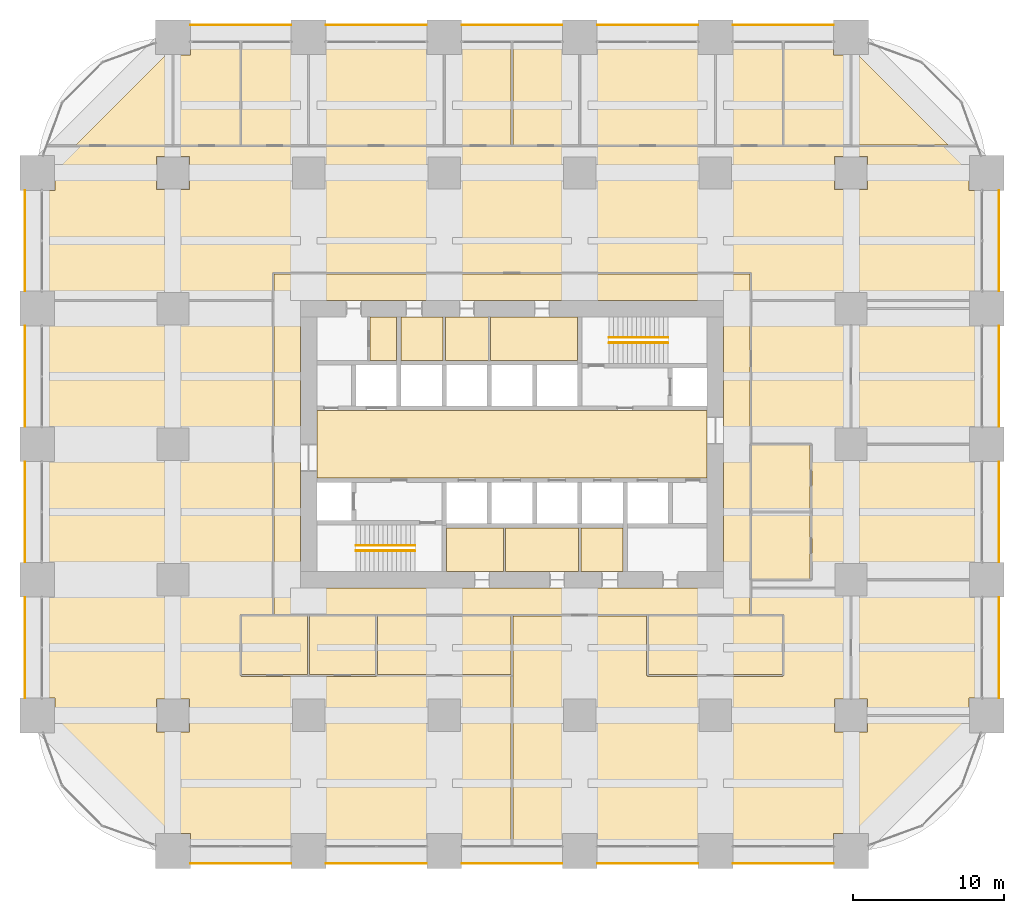
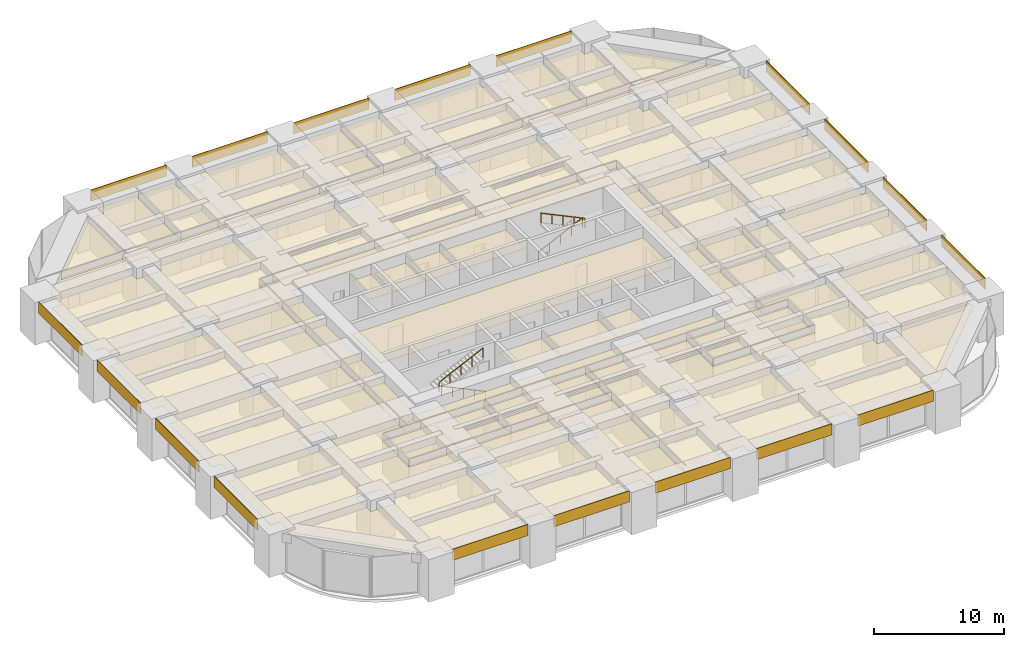
# One storey, part 43 of 43: 49 coverings, 4 railings.
"""IFC4 building model written with IfcOpenShell, lengths in metres."""

from ifc_helpers import new_model, si_unit, direction, frame, frame_2d, origin, origin_2d, place, context, subcontext, project, spatial, polyline, rectangle, circle, outline, extrude, material, layer, layer_set, type_object, element, save


model = new_model("IFC4")

# Units and contexts
model_context = context("Model", 3, precision=1e-05, world=origin(), true_north=direction((0.0, 1.0)))
body_context = subcontext(model_context, "Body", "Model", "MODEL_VIEW")
ifc_project = project(units=[si_unit("LENGTHUNIT", "METRE"), si_unit("AREAUNIT", "SQUARE_METRE"), si_unit("VOLUMEUNIT", "CUBIC_METRE"), si_unit("PLANEANGLEUNIT", "RADIAN"), si_unit("MASSUNIT", "GRAM", prefix="KILO")], contexts=[model_context])

# Site, building, storey
site_placement = place(None, origin())
site = spatial("IfcSite", under=ifc_project, at=site_placement, CompositionType="ELEMENT")
building_placement = place(site_placement, origin())
building = spatial("IfcBuilding", under=site, at=building_placement, Name="Zorevar Civic Tower", CompositionType="ELEMENT")
storey_placement = place(building_placement, frame((0.0, 0.0, 67.800048828125)))
storey = spatial("IfcBuildingStorey", under=building, at=storey_placement, Name="L16", CompositionType="ELEMENT", Elevation=67.800048828125)

# Railings
ifc_material_1 = material(Name="Black steel handrail", Category="steel")
railing_type = type_object("IfcRailingType", Name="Handrail HR1 900", PredefinedType="HANDRAIL", material=ifc_material_1)
railing_1_placement = place(storey_placement, frame((25.050048828125, 19.925048828125, 0.142822265625)))
element("IfcRailing", 1, at=railing_1_placement, inside=storey, type_object=railing_type, Name="Handrail HR1 ST1 L16", PredefinedType="HANDRAIL", context=body_context, shape_type="SweptSolid", body=[
    extrude(circle(Radius=0.02392578125, at=origin_2d()), frame((0.0, 0.0, 0.8759765625), z_axis=(-0.902863652845, 0.0, 0.429926998885), x_axis=(0.0, -1.0, 0.0)), (0.0, 0.0, 1.0), 4.31982421875),
    extrude(circle(Radius=0.02099609375, at=origin_2d()), origin(), (0.0, 0.0, 1.0), 0.851806640625),
    extrude(circle(Radius=0.02099609375, at=origin_2d()), frame((-0.97509765625, 0.0, 0.46435546875)), (0.0, 0.0, 1.0), 0.851806640625),
    extrude(circle(Radius=0.02099609375, at=origin_2d()), frame((-1.9501953125, 0.0, 0.9287109375)), (0.0, 0.0, 1.0), 0.851806640625),
    extrude(circle(Radius=0.02099609375, at=origin_2d()), frame((-2.925048828125, 0.0, 1.392822265625)), (0.0, 0.0, 1.0), 0.851806640625),
    extrude(circle(Radius=0.02099609375, at=origin_2d()), frame((-3.900146484375, 0.0, 1.857177734375)), (0.0, 0.0, 1.0), 0.851806640625),
])
for number, where, name in (
    (2, (21.14990234375, 20.27490234375, 2.142822265625), "Handrail HR1 ST1 L16"),
    (3, (37.949951171875, 34.074951171875, 0.142822265625), "Handrail HR1 ST2 L16"),
):
    element("IfcRailing", number, at=place(storey_placement, frame(where)), inside=storey, type_object=railing_type, Name=name, PredefinedType="HANDRAIL", context=body_context, shape_type="SweptSolid", body=[
        extrude(circle(Radius=0.02392578125, at=origin_2d()), frame((0.0, 0.0, 0.8759765625), z_axis=(0.902863652845, 0.0, 0.429926998885), x_axis=(0.0, 1.0, 0.0)), (0.0, 0.0, 1.0), 4.31982421875),
        extrude(circle(Radius=0.02099609375, at=origin_2d()), origin(), (0.0, 0.0, 1.0), 0.851806640625),
        extrude(circle(Radius=0.02099609375, at=origin_2d()), frame((0.97509765625, 0.0, 0.46435546875)), (0.0, 0.0, 1.0), 0.851806640625),
        extrude(circle(Radius=0.02099609375, at=origin_2d()), frame((1.9501953125, 0.0, 0.9287109375)), (0.0, 0.0, 1.0), 0.851806640625),
        extrude(circle(Radius=0.02099609375, at=origin_2d()), frame((2.925048828125, 0.0, 1.392822265625)), (0.0, 0.0, 1.0), 0.851806640625),
        extrude(circle(Radius=0.02099609375, at=origin_2d()), frame((3.900146484375, 0.0, 1.857177734375)), (0.0, 0.0, 1.0), 0.851806640625),
    ])
railing_2_placement = place(storey_placement, frame((41.85009765625, 33.72509765625, 2.142822265625)))
element("IfcRailing", 4, at=railing_2_placement, inside=storey, type_object=railing_type, Name="Handrail HR1 ST2 L16", PredefinedType="HANDRAIL", context=body_context, shape_type="SweptSolid", body=[
    extrude(circle(Radius=0.02392578125, at=origin_2d()), frame((0.0, 0.0, 0.8759765625), z_axis=(-0.902863652845, 0.0, 0.429926998885), x_axis=(0.0, -1.0, 0.0)), (0.0, 0.0, 1.0), 4.31982421875),
    extrude(circle(Radius=0.02099609375, at=origin_2d()), origin(), (0.0, 0.0, 1.0), 0.851806640625),
    extrude(circle(Radius=0.02099609375, at=origin_2d()), frame((-0.97509765625, 0.0, 0.46435546875)), (0.0, 0.0, 1.0), 0.851806640625),
    extrude(circle(Radius=0.02099609375, at=origin_2d()), frame((-1.9501953125, 0.0, 0.9287109375)), (0.0, 0.0, 1.0), 0.851806640625),
    extrude(circle(Radius=0.02099609375, at=origin_2d()), frame((-2.925048828125, 0.0, 1.392822265625)), (0.0, 0.0, 1.0), 0.851806640625),
    extrude(circle(Radius=0.02099609375, at=origin_2d()), frame((-3.900146484375, 0.0, 1.857177734375)), (0.0, 0.0, 1.0), 0.851806640625),
])

# Coverings
ifc_material_2 = material(Name="Moisture-resistant gypsum board")
ifc_layer_1 = layer(ifc_material_2, 0.012451171875)
ifc_layer_set_1 = layer_set([ifc_layer_1], Name="Moisture-resistant ceiling SC3")
covering_type_1 = type_object("IfcCoveringType", Name="Moisture-resistant ceiling SC3", PredefinedType="CEILING", material=ifc_layer_set_1)
covering_1_placement = place(storey_placement, frame((0.0, 0.0, 3.0)))
element("IfcCovering", 5, at=covering_1_placement, inside=storey, type_object=covering_type_1, Name="Ceiling L16-05", PredefinedType="CEILING", context=body_context, shape_type="SweptSolid", body=[
    extrude(outline(polyline([(30.925048828125, 18.550048828125), (30.925048828125, 21.449951171875), (27.14990234375, 21.449951171875), (27.14990234375, 18.550048828125), (30.925048828125, 18.550048828125)])), origin(), (0.0, 0.0, 1.0), 0.012451171875),
])
covering_2_placement = place(storey_placement, frame((0.0, 0.0, 3.0)))
element("IfcCovering", 6, at=covering_2_placement, inside=storey, type_object=covering_type_1, Name="Ceiling L16-06", PredefinedType="CEILING", context=body_context, shape_type="SweptSolid", body=[
    extrude(outline(polyline([(35.925048828125, 18.550048828125), (35.925048828125, 21.449951171875), (31.074951171875, 21.449951171875), (31.074951171875, 18.550048828125), (35.925048828125, 18.550048828125)])), origin(), (0.0, 0.0, 1.0), 0.012451171875),
])
covering_3_placement = place(storey_placement, frame((0.0, 0.0, 3.0)))
element("IfcCovering", 7, at=covering_3_placement, inside=storey, type_object=covering_type_1, Name="Ceiling L16-07", PredefinedType="CEILING", context=body_context, shape_type="SweptSolid", body=[
    extrude(outline(polyline([(38.85009765625, 18.550048828125), (38.85009765625, 21.449951171875), (36.074951171875, 21.449951171875), (36.074951171875, 18.550048828125), (38.85009765625, 18.550048828125)])), origin(), (0.0, 0.0, 1.0), 0.012451171875),
])
covering_4_placement = place(storey_placement, frame((0.0, 0.0, 3.0)))
element("IfcCovering", 8, at=covering_4_placement, inside=storey, type_object=covering_type_1, Name="Ceiling L16-10", PredefinedType="CEILING", context=body_context, shape_type="SweptSolid", body=[
    extrude(outline(polyline([(26.925048828125, 32.550048828125), (26.925048828125, 35.449951171875), (24.14990234375, 35.449951171875), (24.14990234375, 32.550048828125), (26.925048828125, 32.550048828125)])), origin(), (0.0, 0.0, 1.0), 0.012451171875),
])
ifc_material_3 = material(Name="Black anodised aluminium spandrel panel", Category="aluminium")
ifc_layer_2 = layer(ifc_material_3, 0.050048828125)
ifc_layer_set_2 = layer_set([ifc_layer_2], Name="Spandrel cladding SP1")
covering_type_2 = type_object("IfcCoveringType", Name="Spandrel cladding SP1", PredefinedType="CLADDING", material=ifc_layer_set_2)
for number, where, z_axis, x_axis, name in (
    (9, (10.14990234375, -0.824951171875, 2.949951171875), (0.0, 0.0, 1.0), (1.0, 0.0, 0.0), "Spandrel cladding L17"),
    (10, (19.14990234375, -0.824951171875, 2.949951171875), (0.0, 0.0, 1.0), (1.0, 0.0, 0.0), "Spandrel cladding L17"),
    (11, (28.14990234375, -0.824951171875, 2.949951171875), (0.0, 0.0, 1.0), (1.0, 0.0, 0.0), "Spandrel cladding L17"),
    (12, (37.14990234375, -0.824951171875, 2.949951171875), (0.0, 0.0, 1.0), (1.0, 0.0, 0.0), "Spandrel cladding L17"),
    (13, (46.14990234375, -0.824951171875, 2.949951171875), (0.0, 0.0, 1.0), (1.0, 0.0, 0.0), "Spandrel cladding L17"),
    (14, (10.14990234375, 54.824951171875, 2.949951171875), (0.0, 0.0, 1.0), (1.0, 0.0, 0.0), "Spandrel cladding L17"),
    (15, (19.14990234375, 54.824951171875, 2.949951171875), (0.0, 0.0, 1.0), (1.0, 0.0, 0.0), "Spandrel cladding L17"),
    (16, (28.14990234375, 54.824951171875, 2.949951171875), (0.0, 0.0, 1.0), (1.0, 0.0, 0.0), "Spandrel cladding L17"),
    (17, (37.14990234375, 54.824951171875, 2.949951171875), (0.0, 0.0, 1.0), (1.0, 0.0, 0.0), "Spandrel cladding L17"),
    (18, (46.14990234375, 54.824951171875, 2.949951171875), (0.0, 0.0, 1.0), (1.0, 0.0, 0.0), "Spandrel cladding L17"),
    (19, (-0.824951171875, 10.14990234375, 2.949951171875), (0.0, 0.0, 1.0), (0.0, 1.0, 0.0), "Spandrel cladding L17"),
    (20, (-0.824951171875, 19.14990234375, 2.949951171875), (0.0, 0.0, 1.0), (0.0, 1.0, 0.0), "Spandrel cladding L17"),
    (21, (-0.824951171875, 28.14990234375, 2.949951171875), (0.0, 0.0, 1.0), (0.0, 1.0, 0.0), "Spandrel cladding L17"),
    (22, (-0.824951171875, 37.14990234375, 2.949951171875), (0.0, 0.0, 1.0), (0.0, 1.0, 0.0), "Spandrel cladding L17"),
    (23, (63.824951171875, 10.14990234375, 2.949951171875), (0.0, 0.0, 1.0), (0.0, 1.0, 0.0), "Spandrel cladding L17"),
    (24, (63.824951171875, 19.14990234375, 2.949951171875), (0.0, 0.0, 1.0), (0.0, 1.0, 0.0), "Spandrel cladding L17"),
    (25, (63.824951171875, 28.14990234375, 2.949951171875), (0.0, 0.0, 1.0), (0.0, 1.0, 0.0), "Spandrel cladding L17"),
    (26, (63.824951171875, 37.14990234375, 2.949951171875), (0.0, 0.0, 1.0), (0.0, 1.0, 0.0), "Spandrel cladding L17"),
):
    element("IfcCovering", number, at=place(storey_placement, frame(where, z_axis=z_axis, x_axis=x_axis)), inside=storey, type_object=covering_type_2, Name=name, PredefinedType="CLADDING", context=body_context, shape_type="SweptSolid", body=[
        extrude(rectangle(XDim=6.7001953125, YDim=0.050048828125, at=frame_2d((3.35009765625, 0.0))), origin(), (0.0, 0.0, 1.0), 1.050048828125),
    ])
ifc_material_4 = material(Name="Mineral fibre tiles on a concealed grid")
ifc_layer_3 = layer(ifc_material_4, 0.02001953125)
ifc_layer_set_3 = layer_set([ifc_layer_3], Name="Suspended ceiling SC1")
covering_type_3 = type_object("IfcCoveringType", Name="Suspended ceiling SC1", PredefinedType="CEILING", material=ifc_layer_set_3)
covering_5_placement = place(storey_placement, frame((0.0, 0.0, 3.0)))
element("IfcCovering", 27, at=covering_5_placement, inside=storey, type_object=covering_type_3, Name="Ceiling L16-08", PredefinedType="CEILING", context=body_context, shape_type="SweptSolid", body=[
    extrude(outline(polyline([(35.85009765625, 32.550048828125), (35.85009765625, 35.449951171875), (30.06005859375, 35.449951171875), (30.06005859375, 32.550048828125), (35.85009765625, 32.550048828125)])), origin(), (0.0, 0.0, 1.0), 0.02001953125),
])
covering_6_placement = place(storey_placement, frame((0.0, 0.0, 3.0)))
element("IfcCovering", 28, at=covering_6_placement, inside=storey, type_object=covering_type_3, Name="Ceiling L16-09", PredefinedType="CEILING", context=body_context, shape_type="SweptSolid", body=[
    extrude(outline(polyline([(29.93994140625, 32.550048828125), (29.93994140625, 35.449951171875), (27.074951171875, 35.449951171875), (27.074951171875, 32.550048828125), (29.93994140625, 32.550048828125)])), origin(), (0.0, 0.0, 1.0), 0.02001953125),
])
covering_7_placement = place(storey_placement, frame((0.0, 0.0, 3.0)))
element("IfcCovering", 29, at=covering_7_placement, inside=storey, type_object=covering_type_3, Name="Ceiling L16-12", PredefinedType="CEILING", context=body_context, shape_type="SweptSolid", body=[
    extrude(outline(polyline([(23.85009765625, 32.550048828125), (23.85009765625, 35.449951171875), (22.06005859375, 35.449951171875), (22.06005859375, 32.550048828125), (23.85009765625, 32.550048828125)])), origin(), (0.0, 0.0, 1.0), 0.02001953125),
])
covering_8_placement = place(storey_placement, frame((0.0, 0.0, 3.0)))
element("IfcCovering", 30, at=covering_8_placement, inside=storey, type_object=covering_type_3, Name="Ceiling L16-16", PredefinedType="CEILING", context=body_context, shape_type="SweptSolid", body=[
    extrude(outline(polyline([(44.449951171875, 24.75), (44.449951171875, 29.25), (18.550048828125, 29.25), (18.550048828125, 24.75), (44.449951171875, 24.75)])), origin(), (0.0, 0.0, 1.0), 0.02001953125),
])
covering_9_placement = place(storey_placement, frame((0.0, 0.0, 3.0)))
element("IfcCovering", 31, at=covering_9_placement, inside=storey, type_object=covering_type_3, Name="Ceiling L16-17", PredefinedType="CEILING", context=body_context, shape_type="SweptSolid", body=[
    extrude(outline(polyline([(9.06005859375, 46.860107421875), (9.06005859375, 52.840087890625), (10.159912109375, 52.840087890625), (10.159912109375, 53.64990234375), (13.43994140625, 53.64990234375), (13.43994140625, 46.860107421875), (9.06005859375, 46.860107421875)])), origin(), (0.0, 0.0, 1.0), 0.02001953125),
])
covering_10_placement = place(storey_placement, frame((0.0, 0.0, 3.0)))
element("IfcCovering", 32, at=covering_10_placement, inside=storey, type_object=covering_type_3, Name="Ceiling L16-18", PredefinedType="CEILING", context=body_context, shape_type="SweptSolid", body=[
    extrude(outline(polyline([(13.56005859375, 46.860107421875), (13.56005859375, 53.64990234375), (16.840087890625, 53.64990234375), (16.840087890625, 52.840087890625), (17.93994140625, 52.840087890625), (17.93994140625, 46.860107421875), (13.56005859375, 46.860107421875)])), origin(), (0.0, 0.0, 1.0), 0.02001953125),
])
covering_11_placement = place(storey_placement, frame((0.0, 0.0, 3.0)))
element("IfcCovering", 33, at=covering_11_placement, inside=storey, type_object=covering_type_3, Name="Ceiling L16-19", PredefinedType="CEILING", context=body_context, shape_type="SweptSolid", body=[
    extrude(outline(polyline([(19.159912109375, 52.840087890625), (19.159912109375, 53.64990234375), (25.840087890625, 53.64990234375), (25.840087890625, 52.840087890625), (26.93994140625, 52.840087890625), (26.93994140625, 46.860107421875), (18.06005859375, 46.860107421875), (18.06005859375, 52.840087890625), (19.159912109375, 52.840087890625)])), origin(), (0.0, 0.0, 1.0), 0.02001953125),
])
covering_12_placement = place(storey_placement, frame((0.0, 0.0, 3.0)))
element("IfcCovering", 34, at=covering_12_placement, inside=storey, type_object=covering_type_3, Name="Ceiling L16-20", PredefinedType="CEILING", context=body_context, shape_type="SweptSolid", body=[
    extrude(outline(polyline([(27.06005859375, 46.860107421875), (27.06005859375, 52.840087890625), (28.159912109375, 52.840087890625), (28.159912109375, 53.64990234375), (31.43994140625, 53.64990234375), (31.43994140625, 46.860107421875), (27.06005859375, 46.860107421875)])), origin(), (0.0, 0.0, 1.0), 0.02001953125),
])
covering_13_placement = place(storey_placement, frame((0.0, 0.0, 3.0)))
element("IfcCovering", 35, at=covering_13_placement, inside=storey, type_object=covering_type_3, Name="Ceiling L16-21", PredefinedType="CEILING", context=body_context, shape_type="SweptSolid", body=[
    extrude(outline(polyline([(31.56005859375, 46.860107421875), (31.56005859375, 53.64990234375), (34.840087890625, 53.64990234375), (34.840087890625, 52.840087890625), (35.93994140625, 52.840087890625), (35.93994140625, 46.860107421875), (31.56005859375, 46.860107421875)])), origin(), (0.0, 0.0, 1.0), 0.02001953125),
])
covering_14_placement = place(storey_placement, frame((0.0, 0.0, 3.0)))
element("IfcCovering", 36, at=covering_14_placement, inside=storey, type_object=covering_type_3, Name="Ceiling L16-22", PredefinedType="CEILING", context=body_context, shape_type="SweptSolid", body=[
    extrude(outline(polyline([(37.159912109375, 52.840087890625), (37.159912109375, 53.64990234375), (43.840087890625, 53.64990234375), (43.840087890625, 52.840087890625), (44.93994140625, 52.840087890625), (44.93994140625, 46.860107421875), (36.06005859375, 46.860107421875), (36.06005859375, 52.840087890625), (37.159912109375, 52.840087890625)])), origin(), (0.0, 0.0, 1.0), 0.02001953125),
])
covering_15_placement = place(storey_placement, frame((0.0, 0.0, 3.0)))
element("IfcCovering", 37, at=covering_15_placement, inside=storey, type_object=covering_type_3, Name="Ceiling L16-23", PredefinedType="CEILING", context=body_context, shape_type="SweptSolid", body=[
    extrude(outline(polyline([(45.06005859375, 46.860107421875), (45.06005859375, 52.840087890625), (46.159912109375, 52.840087890625), (46.159912109375, 53.64990234375), (49.43994140625, 53.64990234375), (49.43994140625, 46.860107421875), (45.06005859375, 46.860107421875)])), origin(), (0.0, 0.0, 1.0), 0.02001953125),
])
covering_16_placement = place(storey_placement, frame((0.0, 0.0, 3.0)))
element("IfcCovering", 38, at=covering_16_placement, inside=storey, type_object=covering_type_3, Name="Ceiling L16-24", PredefinedType="CEILING", context=body_context, shape_type="SweptSolid", body=[
    extrude(outline(polyline([(49.56005859375, 46.860107421875), (49.56005859375, 53.64990234375), (52.840087890625, 53.64990234375), (52.840087890625, 52.840087890625), (53.93994140625, 52.840087890625), (53.93994140625, 46.860107421875), (49.56005859375, 46.860107421875)])), origin(), (0.0, 0.0, 1.0), 0.02001953125),
])
covering_17_placement = place(storey_placement, frame((0.0, 0.0, 3.0)))
element("IfcCovering", 39, at=covering_17_placement, inside=storey, type_object=covering_type_3, Name="Ceiling L16-25", PredefinedType="CEILING", context=body_context, shape_type="SweptSolid", body=[
    extrude(outline(polyline([(8.93994140625, 52.840087890625), (8.93994140625, 46.860107421875), (2.567138671875, 46.860107421875), (8.547119140625, 52.840087890625), (8.93994140625, 52.840087890625)])), origin(), (0.0, 0.0, 1.0), 0.02001953125),
])
covering_18_placement = place(storey_placement, frame((0.0, 0.0, 3.0)))
element("IfcCovering", 40, at=covering_18_placement, inside=storey, type_object=covering_type_3, Name="Ceiling L16-26", PredefinedType="CEILING", context=body_context, shape_type="SweptSolid", body=[
    extrude(outline(polyline([(54.06005859375, 46.85009765625), (54.06005859375, 52.840087890625), (54.452880859375, 52.840087890625), (60.44287109375, 46.85009765625), (54.06005859375, 46.85009765625)])), origin(), (0.0, 0.0, 1.0), 0.02001953125),
])
covering_19_placement = place(storey_placement, frame((0.0, 0.0, 3.0)))
element("IfcCovering", 41, at=covering_19_placement, inside=storey, type_object=covering_type_3, Name="Ceiling L16-27", PredefinedType="CEILING", context=body_context, shape_type="SweptSolid", body=[
    extrude(outline(polyline([(13.56005859375, 15.590087890625), (17.93994140625, 15.590087890625), (17.93994140625, 11.7099609375), (13.56005859375, 11.7099609375), (13.56005859375, 15.590087890625)])), origin(), (0.0, 0.0, 1.0), 0.02001953125),
])
covering_20_placement = place(storey_placement, frame((0.0, 0.0, 3.0)))
element("IfcCovering", 42, at=covering_20_placement, inside=storey, type_object=covering_type_3, Name="Ceiling L16-28", PredefinedType="CEILING", context=body_context, shape_type="SweptSolid", body=[
    extrude(outline(polyline([(22.43994140625, 11.7099609375), (18.06005859375, 11.7099609375), (18.06005859375, 15.590087890625), (22.43994140625, 15.590087890625), (22.43994140625, 11.7099609375)])), origin(), (0.0, 0.0, 1.0), 0.02001953125),
])
covering_21_placement = place(storey_placement, frame((0.0, 0.0, 3.0)))
element("IfcCovering", 43, at=covering_21_placement, inside=storey, type_object=covering_type_3, Name="Ceiling L16-29", PredefinedType="CEILING", context=body_context, shape_type="SweptSolid", body=[
    extrude(outline(polyline([(22.56005859375, 15.590087890625), (31.43994140625, 15.590087890625), (31.43994140625, 11.699951171875), (22.56005859375, 11.699951171875), (22.56005859375, 15.590087890625)])), origin(), (0.0, 0.0, 1.0), 0.02001953125),
])
covering_22_placement = place(storey_placement, frame((0.0, 0.0, 3.0)))
element("IfcCovering", 44, at=covering_22_placement, inside=storey, type_object=covering_type_3, Name="Ceiling L16-30", PredefinedType="CEILING", context=body_context, shape_type="SweptSolid", body=[
    extrude(outline(polyline([(49.43994140625, 15.590087890625), (49.43994140625, 11.7099609375), (40.56005859375, 11.7099609375), (40.56005859375, 15.590087890625), (49.43994140625, 15.590087890625)])), origin(), (0.0, 0.0, 1.0), 0.02001953125),
])
covering_23_placement = place(storey_placement, frame((0.0, 0.0, 3.0)))
element("IfcCovering", 45, at=covering_23_placement, inside=storey, type_object=covering_type_3, Name="Ceiling L16-31", PredefinedType="CEILING", context=body_context, shape_type="SweptSolid", body=[
    extrude(outline(polyline([(47.409912109375, 22.43994140625), (51.2900390625, 22.43994140625), (51.2900390625, 18.06005859375), (47.409912109375, 18.06005859375), (47.409912109375, 22.43994140625)])), origin(), (0.0, 0.0, 1.0), 0.02001953125),
])
covering_24_placement = place(storey_placement, frame((0.0, 0.0, 3.0)))
element("IfcCovering", 46, at=covering_24_placement, inside=storey, type_object=covering_type_3, Name="Ceiling L16-32", PredefinedType="CEILING", context=body_context, shape_type="SweptSolid", body=[
    extrude(outline(polyline([(47.409912109375, 26.93994140625), (51.2900390625, 26.93994140625), (51.2900390625, 22.56005859375), (47.409912109375, 22.56005859375), (47.409912109375, 26.93994140625)])), origin(), (0.0, 0.0, 1.0), 0.02001953125),
])
covering_25_placement = place(storey_placement, frame((0.0, 0.0, 3.0)))
element("IfcCovering", 47, at=covering_25_placement, inside=storey, type_object=covering_type_3, Name="Ceiling L16-33", PredefinedType="CEILING", context=body_context, shape_type="SweptSolid", body=[
    extrude(outline(polyline([(62.64990234375, 10.159912109375), (61.840087890625, 10.159912109375), (61.840087890625, 9.06005859375), (55.0849609375, 9.06005859375), (55.0849609375, 10.0849609375), (54.06005859375, 10.0849609375), (54.06005859375, 16.9150390625), (55.0849609375, 16.9150390625), (55.0849609375, 17.93994140625), (61.840087890625, 17.93994140625), (61.840087890625, 16.840087890625), (62.64990234375, 16.840087890625), (62.64990234375, 10.159912109375)])), origin(), (0.0, 0.0, 1.0), 0.02001953125),
])
covering_26_placement = place(storey_placement, frame((0.0, 0.0, 3.0)))
element("IfcCovering", 48, at=covering_26_placement, inside=storey, type_object=covering_type_3, Name="Ceiling L16-34", PredefinedType="CEILING", context=body_context, shape_type="SweptSolid", body=[
    extrude(outline(polyline([(62.64990234375, 28.159912109375), (61.840087890625, 28.159912109375), (61.840087890625, 27.06005859375), (55.0849609375, 27.06005859375), (55.0849609375, 28.0849609375), (54.06005859375, 28.0849609375), (54.06005859375, 34.9150390625), (55.0849609375, 34.9150390625), (55.0849609375, 35.93994140625), (61.840087890625, 35.93994140625), (61.840087890625, 34.840087890625), (62.64990234375, 34.840087890625), (62.64990234375, 28.159912109375)])), origin(), (0.0, 0.0, 1.0), 0.02001953125),
])
covering_27_placement = place(storey_placement, frame((0.0, 0.0, 3.0)))
element("IfcCovering", 49, at=covering_27_placement, inside=storey, type_object=covering_type_3, Name="Ceiling L16-35", PredefinedType="CEILING", context=body_context, shape_type="SweptSolid", body=[
    extrude(outline(polyline([(15.699951171875, 38.300048828125), (47.300048828125, 38.300048828125), (47.300048828125, 27.0), (47.2900390625, 27.0), (47.2900390625, 18.0), (47.300048828125, 18.0), (47.300048828125, 15.7099609375), (40.5, 15.7099609375), (40.5, 15.699951171875), (31.5, 15.699951171875), (31.5, 15.7099609375), (15.699951171875, 15.7099609375), (15.699951171875, 38.300048828125)]), holes=[polyline([(45.550048828125, 36.550048828125), (17.449951171875, 36.550048828125), (17.449951171875, 17.449951171875), (45.550048828125, 17.449951171875), (45.550048828125, 36.550048828125)])]), origin(), (0.0, 0.0, 1.0), 0.02001953125),
])
covering_28_placement = place(storey_placement, frame((0.0, 0.0, 3.0)))
element("IfcCovering", 50, at=covering_28_placement, inside=storey, type_object=covering_type_3, Name="Ceiling L16-36", PredefinedType="CEILING", context=body_context, shape_type="SweptSolid", body=[
    extrude(outline(polyline([(62.64990234375, 19.159912109375), (61.840087890625, 19.159912109375), (61.840087890625, 18.06005859375), (55.0849609375, 18.06005859375), (55.0849609375, 19.0849609375), (52.9150390625, 19.0849609375), (52.9150390625, 17.5), (47.39990234375, 17.5), (47.39990234375, 17.93994140625), (51.35009765625, 17.93994140625), (51.35009765625, 18.0), (51.409912109375, 18.0), (51.409912109375, 27.0), (51.35009765625, 27.0), (51.35009765625, 27.06005859375), (47.39990234375, 27.06005859375), (47.39990234375, 36.5), (52.9150390625, 36.5), (52.9150390625, 34.9150390625), (53.93994140625, 34.9150390625), (53.93994140625, 28.0849609375), (52.9150390625, 28.0849609375), (52.9150390625, 25.9150390625), (55.0849609375, 25.9150390625), (55.0849609375, 26.93994140625), (61.840087890625, 26.93994140625), (61.840087890625, 25.840087890625), (62.64990234375, 25.840087890625), (62.64990234375, 19.159912109375)])), origin(), (0.0, 0.0, 1.0), 0.02001953125),
])
covering_29_placement = place(storey_placement, frame((0.0, 0.0, 3.0)))
element("IfcCovering", 51, at=covering_29_placement, inside=storey, type_object=covering_type_3, Name="Ceiling L16-37", PredefinedType="CEILING", context=body_context, shape_type="SweptSolid", body=[
    extrude(outline(polyline([(15.64990234375, 38.35009765625), (15.60009765625, 38.35009765625), (15.60009765625, 36.60009765625), (10.0849609375, 36.60009765625), (10.0849609375, 37.0849609375), (7.9150390625, 37.0849609375), (7.9150390625, 36.60009765625), (1.159912109375, 36.60009765625), (1.159912109375, 37.159912109375), (0.35009765625, 37.159912109375), (0.35009765625, 43.840087890625), (1.159912109375, 43.840087890625), (1.159912109375, 45.452880859375), (2.447021484375, 46.739990234375), (54.0, 46.739990234375), (54.0, 46.75), (60.54296875, 46.75), (61.840087890625, 45.452880859375), (61.840087890625, 43.840087890625), (62.64990234375, 43.840087890625), (62.64990234375, 37.159912109375), (61.840087890625, 37.159912109375), (61.840087890625, 36.60009765625), (55.0849609375, 36.60009765625), (55.0849609375, 37.0849609375), (52.9150390625, 37.0849609375), (52.9150390625, 36.60009765625), (47.39990234375, 36.60009765625), (47.39990234375, 38.35009765625), (47.35009765625, 38.35009765625), (47.35009765625, 38.39990234375), (15.64990234375, 38.39990234375), (15.64990234375, 38.35009765625)]), holes=[polyline([(7.9150390625, 43.9150390625), (10.0849609375, 43.9150390625), (10.0849609375, 46.0849609375), (7.9150390625, 46.0849609375), (7.9150390625, 43.9150390625)]), polyline([(16.9150390625, 46.0849609375), (16.9150390625, 43.9150390625), (19.0849609375, 43.9150390625), (19.0849609375, 46.0849609375), (16.9150390625, 46.0849609375)]), polyline([(28.0849609375, 46.0849609375), (25.9150390625, 46.0849609375), (25.9150390625, 43.9150390625), (28.0849609375, 43.9150390625), (28.0849609375, 46.0849609375)]), polyline([(37.0849609375, 43.9150390625), (37.0849609375, 46.0849609375), (34.9150390625, 46.0849609375), (34.9150390625, 43.9150390625), (37.0849609375, 43.9150390625)]), polyline([(43.9150390625, 43.9150390625), (46.0849609375, 43.9150390625), (46.0849609375, 46.0849609375), (43.9150390625, 46.0849609375), (43.9150390625, 43.9150390625)]), polyline([(55.0849609375, 46.0849609375), (52.9150390625, 46.0849609375), (52.9150390625, 43.9150390625), (55.0849609375, 43.9150390625), (55.0849609375, 46.0849609375)])]), origin(), (0.0, 0.0, 1.0), 0.02001953125),
])
covering_30_placement = place(storey_placement, frame((0.0, 0.0, 3.0)))
element("IfcCovering", 52, at=covering_30_placement, inside=storey, type_object=covering_type_3, Name="Ceiling L16-38", PredefinedType="CEILING", context=body_context, shape_type="SweptSolid", body=[
    extrude(outline(polyline([(53.93994140625, 16.9150390625), (53.93994140625, 10.0849609375), (52.9150390625, 10.0849609375), (52.9150390625, 7.9150390625), (55.0849609375, 7.9150390625), (55.0849609375, 8.93994140625), (61.840087890625, 8.93994140625), (61.840087890625, 8.547119140625), (54.452880859375, 1.159912109375), (52.840087890625, 1.159912109375), (52.840087890625, 0.35009765625), (46.159912109375, 0.35009765625), (46.159912109375, 1.159912109375), (43.840087890625, 1.159912109375), (43.840087890625, 0.35009765625), (37.159912109375, 0.35009765625), (37.159912109375, 1.159912109375), (34.840087890625, 1.159912109375), (34.840087890625, 0.35009765625), (31.550048828125, 0.35009765625), (31.550048828125, 11.64990234375), (31.56005859375, 11.64990234375), (31.56005859375, 15.60009765625), (40.43994140625, 15.60009765625), (40.43994140625, 11.64990234375), (40.5, 11.64990234375), (40.5, 11.590087890625), (49.5, 11.590087890625), (49.5, 11.64990234375), (49.56005859375, 11.64990234375), (49.56005859375, 15.64990234375), (49.5, 15.64990234375), (49.5, 15.7099609375), (47.39990234375, 15.7099609375), (47.39990234375, 17.39990234375), (52.9150390625, 17.39990234375), (52.9150390625, 16.9150390625), (53.93994140625, 16.9150390625)]), holes=[polyline([(37.0849609375, 7.9150390625), (37.0849609375, 10.0849609375), (34.9150390625, 10.0849609375), (34.9150390625, 7.9150390625), (37.0849609375, 7.9150390625)]), polyline([(43.9150390625, 10.0849609375), (43.9150390625, 7.9150390625), (46.0849609375, 7.9150390625), (46.0849609375, 10.0849609375), (43.9150390625, 10.0849609375)])]), origin(), (0.0, 0.0, 1.0), 0.02001953125),
])
covering_31_placement = place(storey_placement, frame((0.0, 0.0, 3.0)))
element("IfcCovering", 53, at=covering_31_placement, inside=storey, type_object=covering_type_3, Name="Ceiling L16-39", PredefinedType="CEILING", context=body_context, shape_type="SweptSolid", body=[
    extrude(outline(polyline([(25.840087890625, 1.159912109375), (25.840087890625, 0.35009765625), (19.159912109375, 0.35009765625), (19.159912109375, 1.159912109375), (16.840087890625, 1.159912109375), (16.840087890625, 0.35009765625), (10.159912109375, 0.35009765625), (10.159912109375, 1.159912109375), (8.547119140625, 1.159912109375), (1.159912109375, 8.547119140625), (1.159912109375, 10.159912109375), (0.35009765625, 10.159912109375), (0.35009765625, 16.840087890625), (1.159912109375, 16.840087890625), (1.159912109375, 19.159912109375), (0.35107421875, 19.159912109375), (0.35107421875, 25.840087890625), (1.159912109375, 25.840087890625), (1.159912109375, 28.159912109375), (0.35107421875, 28.159912109375), (0.35107421875, 34.840087890625), (1.159912109375, 34.840087890625), (1.159912109375, 36.4990234375), (7.9150390625, 36.4990234375), (7.9150390625, 34.9150390625), (10.0849609375, 34.9150390625), (10.0849609375, 36.4990234375), (15.59912109375, 36.4990234375), (15.60009765625, 15.7099609375), (13.5009765625, 15.7099609375), (13.5, 15.64990234375), (13.440185546875, 15.6494140625), (13.43994140625, 11.65087890625), (13.5, 11.64990234375), (13.500732421875, 11.590087890625), (22.4990234375, 11.590087890625), (22.5, 11.60009765625), (31.449951171875, 11.60009765625), (31.449951171875, 0.35009765625), (28.159912109375, 0.35009765625), (28.159912109375, 1.159912109375), (25.840087890625, 1.159912109375)]), holes=[polyline([(10.0849609375, 10.0849609375), (7.9150390625, 10.0849609375), (7.9150390625, 7.9150390625), (10.0849609375, 7.9150390625), (10.0849609375, 10.0849609375)]), polyline([(10.0849609375, 16.9150390625), (10.0849609375, 19.0849609375), (7.9150390625, 19.0849609375), (7.9150390625, 16.9150390625), (10.0849609375, 16.9150390625)]), polyline([(7.9150390625, 25.9150390625), (10.0849609375, 25.9150390625), (10.0849609375, 28.0849609375), (7.9150390625, 28.0849609375), (7.9150390625, 25.9150390625)]), polyline([(19.0849609375, 7.9150390625), (19.0849609375, 10.0849609375), (16.9150390625, 10.0849609375), (16.9150390625, 7.9150390625), (19.0849609375, 7.9150390625)]), polyline([(25.9150390625, 10.0849609375), (25.9150390625, 7.9150390625), (28.0849609375, 7.9150390625), (28.0849609375, 10.0849609375), (25.9150390625, 10.0849609375)])]), origin(), (0.0, 0.0, 1.0), 0.02001953125),
])

save(model, "model.ifc")
